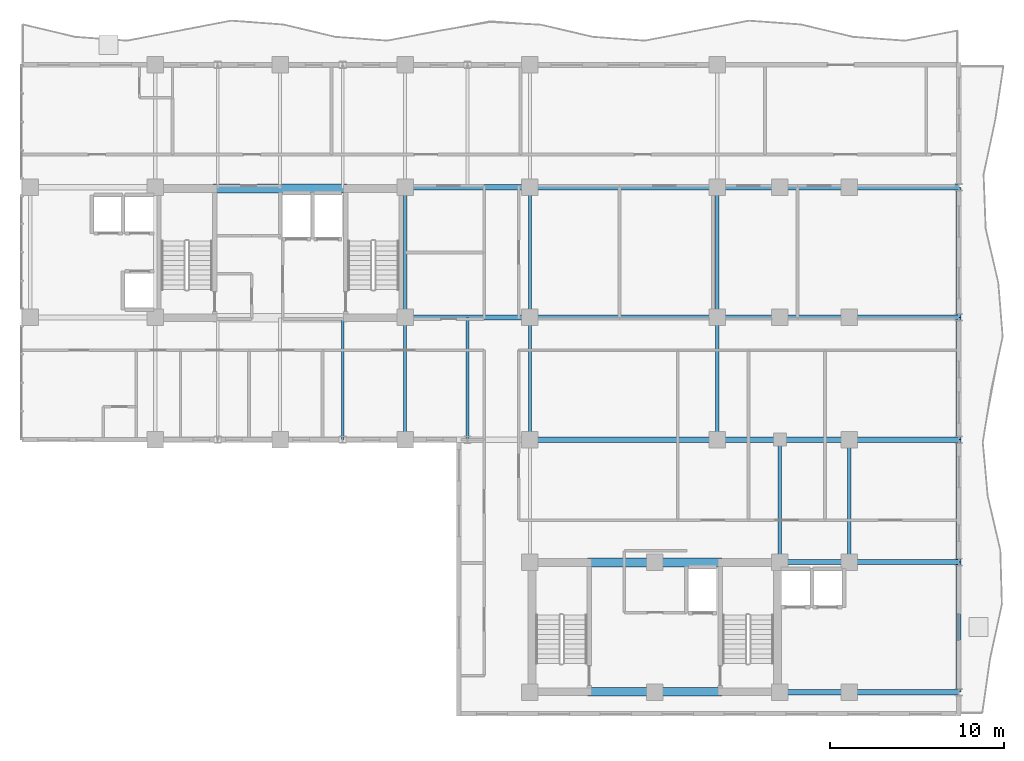
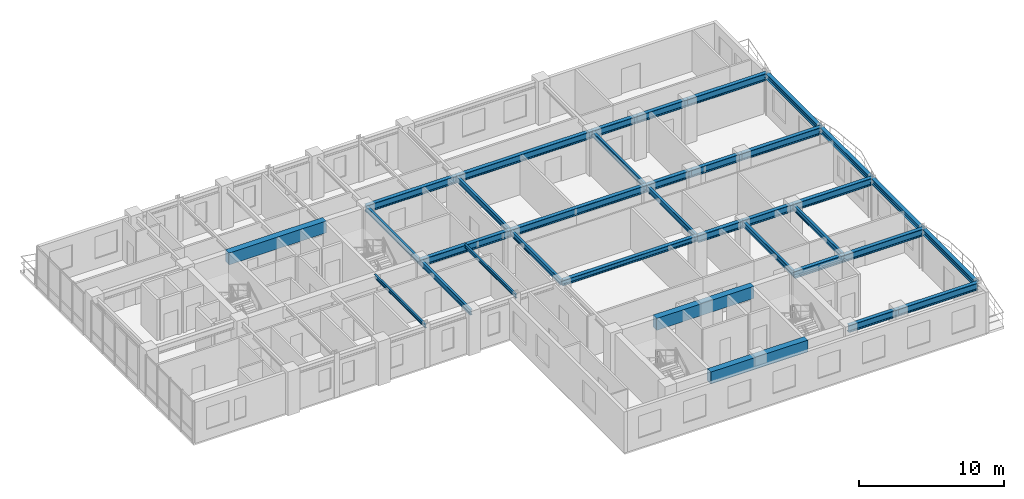
# One storey, part 9 of 20: 35 beams.
"""IFC4 building model written with IfcOpenShell, lengths in metres."""

from ifc_helpers import new_model, si_unit, direction, frame, origin, origin_2d, place, context, subcontext, project, spatial, rectangle, i_section, extrude, source, transform, mapped, material, material_profile, profile_set, type_object, element, save


model = new_model("IFC4")

# Units and contexts
model_context = context("Model", 3, precision=1e-05, world=origin(), true_north=direction((0.0, 1.0)))
body_context = subcontext(model_context, "Body", "Model", "MODEL_VIEW")
ifc_project = project(units=[si_unit("LENGTHUNIT", "METRE"), si_unit("AREAUNIT", "SQUARE_METRE"), si_unit("VOLUMEUNIT", "CUBIC_METRE"), si_unit("PLANEANGLEUNIT", "RADIAN"), si_unit("MASSUNIT", "GRAM", prefix="KILO")], contexts=[model_context])

# Site, building, storey
site_placement = place(None, origin())
site = spatial("IfcSite", under=ifc_project, at=site_placement, CompositionType="ELEMENT")
building_placement = place(site_placement, origin())
building = spatial("IfcBuilding", under=site, at=building_placement, Name="Kaliganga Portal Commons", CompositionType="ELEMENT")
storey_placement = place(building_placement, frame((0.0, 0.0, 201.800048828125)))
storey = spatial("IfcBuildingStorey", under=building, at=storey_placement, Name="L51", CompositionType="ELEMENT", Elevation=201.800048828125)

# Beams
ifc_material_1 = material(Name="Concrete C50/60", Category="concrete")
ifc_material_profile_1 = material_profile(ifc_material_1, rectangle(XDim=0.5, YDim=1.0, at=origin_2d()), Name="RC 500x1000")
ifc_profile_set_1 = profile_set([ifc_material_profile_1], Name="Concrete C50/60")
beam_type_1 = type_object("IfcBeamType", Name="BM-CPL-1000", PredefinedType="LINTEL", material=ifc_profile_set_1)
shared_shape_1 = source(origin(), body_context, "Body", "SweptSolid", [
    extrude(rectangle(XDim=0.5, YDim=1.0, at=origin_2d()), origin(), (0.0, 0.0, 1.0), 7.739990234375),
])
for number, where, z_axis, x_axis, name in (
    (1, (17.72998046875, 36.074951171875, 2.969970703125), (1.0, 0.0, 0.0), (0.0, 1.0, 0.0), "BM CPL COREA L51 N"),
    (2, (39.330078125, 7.074951171875, 2.969970703125), (1.0, 0.0, 0.0), (0.0, 1.0, 0.0), "BM CPL COREB L51 S"),
    (3, (39.330078125, 14.52490234375, 2.969970703125), (1.0, 0.0, 0.0), (0.0, 1.0, 0.0), "BM CPL COREB L51 N"),
):
    element("IfcBeam", number, at=place(storey_placement, frame(where, z_axis=z_axis, x_axis=x_axis)), inside=storey, type_object=beam_type_1, Name=name, PredefinedType="LINTEL", context=body_context, shape_type="MappedRepresentation", body=[
        mapped(shared_shape_1, transform((0.0, 0.0, 0.0), x_axis=(1.0, 0.0, 0.0), y_axis=(0.0, 1.0, 0.0), z_axis=(0.0, 0.0, 1.0), scale=1.0)),
    ])
ifc_material_2 = material(Name="Structural steel S355J2", Category="steel")
ifc_material_profile_2 = material_profile(ifc_material_2, i_section(OverallWidth=0.300048828125, OverallDepth=0.449951171875, WebThickness=0.013916015625, FlangeThickness=0.02587890625, FilletRadius=0.027099609375, at=origin_2d()), Name="HE 450 B")
ifc_profile_set_2 = profile_set([ifc_material_profile_2], Name="Structural steel S355J2 wide-flange")
beam_type_2 = type_object("IfcBeamType", Name="BM-SPAND-450", PredefinedType="SPANDREL", material=ifc_profile_set_2)
shared_shape_2 = source(origin(), body_context, "Body", "SweptSolid", [
    extrude(i_section(OverallWidth=0.300048828125, OverallDepth=0.449951171875, WebThickness=0.013916015625, FlangeThickness=0.02587890625, FilletRadius=0.027099609375, at=origin_2d()), origin(), (0.0, 0.0, 1.0), 10.800048828125),
])
beam_1_placement = place(storey_placement, frame((36.0, 21.60009765625, 3.244873046875), z_axis=(1.0, 0.0, 0.0), x_axis=(0.0, 1.0, 0.0)))
element("IfcBeam", 4, at=beam_1_placement, inside=storey, type_object=beam_type_2, Name="BM SP L51 AS 7", PredefinedType="SPANDREL", context=body_context, shape_type="MappedRepresentation", body=[
    mapped(shared_shape_2, transform((0.0, 0.0, 0.0), x_axis=(1.0, 0.0, 0.0), y_axis=(0.0, 1.0, 0.0), z_axis=(0.0, 0.0, 1.0), scale=1.0)),
])
shared_shape_3 = source(origin(), body_context, "Body", "SweptSolid", [
    extrude(i_section(OverallWidth=0.300048828125, OverallDepth=0.449951171875, WebThickness=0.013916015625, FlangeThickness=0.02587890625, FilletRadius=0.027099609375, at=origin_2d()), origin(), (0.0, 0.0, 1.0), 7.5),
])
for number, where, z_axis, x_axis, name in (
    (5, (60.699951171875, 7.050048828125, 3.244873046875), (0.0, 1.0, 0.0), (-1.0, 0.0, 0.0), "BM SP L51 BE 1"),
    (6, (60.699951171875, 28.64990234375, 3.244873046875), (0.0, 1.0, 0.0), (-1.0, 0.0, 0.0), "BM SP L51 BE 4"),
):
    element("IfcBeam", number, at=place(storey_placement, frame(where, z_axis=z_axis, x_axis=x_axis)), inside=storey, type_object=beam_type_2, Name=name, PredefinedType="SPANDREL", context=body_context, shape_type="MappedRepresentation", body=[
        mapped(shared_shape_3, transform((0.0, 0.0, 0.0), x_axis=(1.0, 0.0, 0.0), y_axis=(0.0, 1.0, 0.0), z_axis=(0.0, 0.0, 1.0), scale=1.0)),
    ])
shared_shape_4 = source(origin(), body_context, "Body", "SweptSolid", [
    extrude(i_section(OverallWidth=0.300048828125, OverallDepth=0.449951171875, WebThickness=0.013916015625, FlangeThickness=0.02587890625, FilletRadius=0.027099609375, at=origin_2d()), origin(), (0.0, 0.0, 1.0), 7.050048828125),
])
beam_2_placement = place(storey_placement, frame((60.699951171875, 14.550048828125, 3.244873046875), z_axis=(0.0, 1.0, 0.0), x_axis=(-1.0, 0.0, 0.0)))
element("IfcBeam", 7, at=beam_2_placement, inside=storey, type_object=beam_type_2, Name="BM SP L51 BE 2", PredefinedType="SPANDREL", context=body_context, shape_type="MappedRepresentation", body=[
    mapped(shared_shape_4, transform((0.0, 0.0, 0.0), x_axis=(1.0, 0.0, 0.0), y_axis=(0.0, 1.0, 0.0), z_axis=(0.0, 0.0, 1.0), scale=1.0)),
])
shared_shape_5 = source(origin(), body_context, "Body", "SweptSolid", [
    extrude(i_section(OverallWidth=0.300048828125, OverallDepth=0.449951171875, WebThickness=0.013916015625, FlangeThickness=0.02587890625, FilletRadius=0.027099609375, at=origin_2d()), origin(), (0.0, 0.0, 1.0), 7.0498046875),
])
beam_3_placement = place(storey_placement, frame((60.699951171875, 21.60009765625, 3.244873046875), z_axis=(0.0, 1.0, 0.0), x_axis=(-1.0, 0.0, 0.0)))
element("IfcBeam", 8, at=beam_3_placement, inside=storey, type_object=beam_type_2, Name="BM SP L51 BE 3", PredefinedType="SPANDREL", context=body_context, shape_type="MappedRepresentation", body=[
    mapped(shared_shape_5, transform((0.0, 0.0, 0.0), x_axis=(1.0, 0.0, 0.0), y_axis=(0.0, 1.0, 0.0), z_axis=(0.0, 0.0, 1.0), scale=1.0)),
])
ifc_material_profile_3 = material_profile(ifc_material_2, i_section(OverallWidth=0.300048828125, OverallDepth=0.60009765625, WebThickness=0.015380859375, FlangeThickness=0.030029296875, FilletRadius=0.027099609375, at=origin_2d()), Name="HE 600 B")
ifc_profile_set_3 = profile_set([ifc_material_profile_3], Name="Structural steel S355J2 wide-flange")
beam_type_3 = type_object("IfcBeamType", Name="BM-GIRD-600", PredefinedType="USERDEFINED", material=ifc_profile_set_3)
shared_shape_6 = source(origin(), body_context, "Body", "SweptSolid", [
    extrude(i_section(OverallWidth=0.300048828125, OverallDepth=0.60009765625, WebThickness=0.015380859375, FlangeThickness=0.030029296875, FilletRadius=0.027099609375, at=origin_2d()), origin(), (0.0, 0.0, 1.0), 7.199951171875),
])
for number, where, z_axis, x_axis, name in (
    (9, (28.800048828125, 28.64990234375, 3.169921875), (1.0, 0.0, 0.0), (0.0, 1.0, 0.0), "BM G L51 WAE_S 1"),
    (10, (28.800048828125, 36.14990234375, 3.169921875), (1.0, 0.0, 0.0), (0.0, 1.0, 0.0), "BM G L51 WAE_N 1"),
):
    element("IfcBeam", number, at=place(storey_placement, frame(where, z_axis=z_axis, x_axis=x_axis)), inside=storey, type_object=beam_type_3, Name=name, ObjectType="GIRDER", PredefinedType="USERDEFINED", context=body_context, shape_type="MappedRepresentation", body=[
        mapped(shared_shape_6, transform((0.0, 0.0, 0.0), x_axis=(1.0, 0.0, 0.0), y_axis=(0.0, 1.0, 0.0), z_axis=(0.0, 0.0, 1.0), scale=1.0)),
    ])
shared_shape_7 = source(origin(), body_context, "Body", "SweptSolid", [
    extrude(i_section(OverallWidth=0.300048828125, OverallDepth=0.60009765625, WebThickness=0.015380859375, FlangeThickness=0.030029296875, FilletRadius=0.027099609375, at=origin_2d()), origin(), (0.0, 0.0, 1.0), 10.800048828125),
])
for number, where, z_axis, x_axis, name in (
    (11, (36.0, 28.64990234375, 3.169921875), (1.0, 0.0, 0.0), (0.0, 1.0, 0.0), "BM G L51 WAE_S 2"),
    (12, (36.0, 36.14990234375, 3.169921875), (1.0, 0.0, 0.0), (0.0, 1.0, 0.0), "BM G L51 WAE_N 2"),
):
    element("IfcBeam", number, at=place(storey_placement, frame(where, z_axis=z_axis, x_axis=x_axis)), inside=storey, type_object=beam_type_3, Name=name, ObjectType="GIRDER", PredefinedType="USERDEFINED", context=body_context, shape_type="MappedRepresentation", body=[
        mapped(shared_shape_7, transform((0.0, 0.0, 0.0), x_axis=(1.0, 0.0, 0.0), y_axis=(0.0, 1.0, 0.0), z_axis=(0.0, 0.0, 1.0), scale=1.0)),
    ])
shared_shape_8 = source(origin(), body_context, "Body", "SweptSolid", [
    extrude(i_section(OverallWidth=0.300048828125, OverallDepth=0.60009765625, WebThickness=0.015380859375, FlangeThickness=0.030029296875, FilletRadius=0.027099609375, at=origin_2d()), origin(), (0.0, 0.0, 1.0), 4.0),
])
for number, where, z_axis, x_axis, name in (
    (13, (50.39990234375, 7.050048828125, 3.169921875), (1.0, 0.0, 0.0), (0.0, 1.0, 0.0), "BM G L51 BKE70 1"),
    (14, (50.39990234375, 14.550048828125, 3.169921875), (1.0, 0.0, 0.0), (0.0, 1.0, 0.0), "BM G L51 BKE146 1"),
    (15, (50.39990234375, 21.60009765625, 3.169921875), (1.0, 0.0, 0.0), (0.0, 1.0, 0.0), "BM G L51 BKE216 2"),
    (16, (50.39990234375, 28.64990234375, 3.169921875), (1.0, 0.0, 0.0), (0.0, 1.0, 0.0), "BM G L51 BKE286 2"),
    (17, (50.39990234375, 36.14990234375, 3.169921875), (1.0, 0.0, 0.0), (0.0, 1.0, 0.0), "BM G L51 BKE362 2"),
):
    element("IfcBeam", number, at=place(storey_placement, frame(where, z_axis=z_axis, x_axis=x_axis)), inside=storey, type_object=beam_type_3, Name=name, ObjectType="GIRDER", PredefinedType="USERDEFINED", context=body_context, shape_type="MappedRepresentation", body=[
        mapped(shared_shape_8, transform((0.0, 0.0, 0.0), x_axis=(1.0, 0.0, 0.0), y_axis=(0.0, 1.0, 0.0), z_axis=(0.0, 0.0, 1.0), scale=1.0)),
    ])
shared_shape_9 = source(origin(), body_context, "Body", "SweptSolid", [
    extrude(i_section(OverallWidth=0.300048828125, OverallDepth=0.60009765625, WebThickness=0.015380859375, FlangeThickness=0.030029296875, FilletRadius=0.027099609375, at=origin_2d()), origin(), (0.0, 0.0, 1.0), 3.599853515625),
])
for number, where, z_axis, x_axis, name in (
    (18, (46.800048828125, 21.60009765625, 3.169921875), (1.0, 0.0, 0.0), (0.0, 1.0, 0.0), "BM G L51 BKE216 1"),
    (19, (46.800048828125, 28.64990234375, 3.169921875), (1.0, 0.0, 0.0), (0.0, 1.0, 0.0), "BM G L51 BKE286 1"),
    (20, (46.800048828125, 36.14990234375, 3.169921875), (1.0, 0.0, 0.0), (0.0, 1.0, 0.0), "BM G L51 BKE362 1"),
):
    element("IfcBeam", number, at=place(storey_placement, frame(where, z_axis=z_axis, x_axis=x_axis)), inside=storey, type_object=beam_type_3, Name=name, ObjectType="GIRDER", PredefinedType="USERDEFINED", context=body_context, shape_type="MappedRepresentation", body=[
        mapped(shared_shape_9, transform((0.0, 0.0, 0.0), x_axis=(1.0, 0.0, 0.0), y_axis=(0.0, 1.0, 0.0), z_axis=(0.0, 0.0, 1.0), scale=1.0)),
    ])
ifc_material_profile_4 = material_profile(ifc_material_2, i_section(OverallWidth=0.18994140625, OverallDepth=0.449951171875, WebThickness=0.009521484375, FlangeThickness=0.0146484375, FilletRadius=0.02099609375, at=origin_2d()), Name="IPE 450")
ifc_profile_set_4 = profile_set([ifc_material_profile_4], Name="Structural steel S355J2 wide-flange")
beam_type_4 = type_object("IfcBeamType", Name="BM-FLR-450", PredefinedType="BEAM", material=ifc_profile_set_4)
shared_shape_10 = source(origin(), body_context, "Body", "SweptSolid", [
    extrude(i_section(OverallWidth=0.18994140625, OverallDepth=0.449951171875, WebThickness=0.009521484375, FlangeThickness=0.0146484375, FilletRadius=0.02099609375, at=origin_2d()), origin(), (0.0, 0.0, 1.0), 7.5),
])
for number, where, z_axis, x_axis, name in (
    (21, (28.800048828125, 28.64990234375, 3.244873046875), (0.0, 1.0, 0.0), (-1.0, 0.0, 0.0), "BM G L51 AM288"),
    (22, (36.0, 28.64990234375, 3.244873046875), (0.0, 1.0, 0.0), (-1.0, 0.0, 0.0), "BM G L51 AM360"),
    (23, (46.800048828125, 28.64990234375, 3.244873046875), (0.0, 1.0, 0.0), (-1.0, 0.0, 0.0), "BM G L51 AM468"),
):
    element("IfcBeam", number, at=place(storey_placement, frame(where, z_axis=z_axis, x_axis=x_axis)), inside=storey, type_object=beam_type_4, Name=name, PredefinedType="BEAM", context=body_context, shape_type="MappedRepresentation", body=[
        mapped(shared_shape_10, transform((0.0, 0.0, 0.0), x_axis=(1.0, 0.0, 0.0), y_axis=(0.0, 1.0, 0.0), z_axis=(0.0, 0.0, 1.0), scale=1.0)),
    ])
shared_shape_11 = source(origin(), body_context, "Body", "SweptSolid", [
    extrude(i_section(OverallWidth=0.18994140625, OverallDepth=0.449951171875, WebThickness=0.009521484375, FlangeThickness=0.0146484375, FilletRadius=0.02099609375, at=origin_2d()), origin(), (0.0, 0.0, 1.0), 7.050048828125),
])
for number, where, z_axis, x_axis, name in (
    (24, (50.39990234375, 14.550048828125, 3.244873046875), (0.0, 1.0, 0.0), (-1.0, 0.0, 0.0), "BM G L51 BNK504"),
    (25, (54.39990234375, 14.550048828125, 3.244873046875), (0.0, 1.0, 0.0), (-1.0, 0.0, 0.0), "BM G L51 BNK544"),
):
    element("IfcBeam", number, at=place(storey_placement, frame(where, z_axis=z_axis, x_axis=x_axis)), inside=storey, type_object=beam_type_4, Name=name, PredefinedType="BEAM", context=body_context, shape_type="MappedRepresentation", body=[
        mapped(shared_shape_11, transform((0.0, 0.0, 0.0), x_axis=(1.0, 0.0, 0.0), y_axis=(0.0, 1.0, 0.0), z_axis=(0.0, 0.0, 1.0), scale=1.0)),
    ])
shared_shape_12 = source(origin(), body_context, "Body", "SweptSolid", [
    extrude(i_section(OverallWidth=0.18994140625, OverallDepth=0.449951171875, WebThickness=0.009521484375, FlangeThickness=0.0146484375, FilletRadius=0.02099609375, at=origin_2d()), origin(), (0.0, 0.0, 1.0), 7.0498046875),
])
for number, where, z_axis, x_axis, name in (
    (26, (28.800048828125, 21.60009765625, 3.244873046875), (0.0, 1.0, 0.0), (-1.0, 0.0, 0.0), "BM G L51 AS288"),
    (27, (36.0, 21.60009765625, 3.244873046875), (0.0, 1.0, 0.0), (-1.0, 0.0, 0.0), "BM G L51 AS360"),
    (28, (46.800048828125, 21.60009765625, 3.244873046875), (0.0, 1.0, 0.0), (-1.0, 0.0, 0.0), "BM G L51 AS468"),
):
    element("IfcBeam", number, at=place(storey_placement, frame(where, z_axis=z_axis, x_axis=x_axis)), inside=storey, type_object=beam_type_4, Name=name, PredefinedType="BEAM", context=body_context, shape_type="MappedRepresentation", body=[
        mapped(shared_shape_12, transform((0.0, 0.0, 0.0), x_axis=(1.0, 0.0, 0.0), y_axis=(0.0, 1.0, 0.0), z_axis=(0.0, 0.0, 1.0), scale=1.0)),
    ])
ifc_material_profile_5 = material_profile(ifc_material_2, i_section(OverallWidth=0.14990234375, OverallDepth=0.300048828125, WebThickness=0.007080078125, FlangeThickness=0.0107421875, FilletRadius=0.014892578125, at=origin_2d()), Name="IPE 300")
ifc_profile_set_5 = profile_set([ifc_material_profile_5], Name="Structural steel S355J2 wide-flange")
beam_type_5 = type_object("IfcBeamType", Name="BM-JST-300", PredefinedType="JOIST", material=ifc_profile_set_5)
shared_shape_13 = source(origin(), body_context, "Body", "SweptSolid", [
    extrude(i_section(OverallWidth=0.14990234375, OverallDepth=0.300048828125, WebThickness=0.007080078125, FlangeThickness=0.0107421875, FilletRadius=0.014892578125, at=origin_2d()), origin(), (0.0, 0.0, 1.0), 7.02490234375),
])
beam_4_placement = place(storey_placement, frame((25.199951171875, 21.60009765625, 3.320068359375), z_axis=(0.0, 1.0, 0.0), x_axis=(-1.0, 0.0, 0.0)))
element("IfcBeam", 29, at=beam_4_placement, inside=storey, type_object=beam_type_5, Name="BM G L51 AS252", PredefinedType="JOIST", context=body_context, shape_type="MappedRepresentation", body=[
    mapped(shared_shape_13, transform((0.0, 0.0, 0.0), x_axis=(1.0, 0.0, 0.0), y_axis=(0.0, 1.0, 0.0), z_axis=(0.0, 0.0, 1.0), scale=1.0)),
])
shared_shape_14 = source(origin(), body_context, "Body", "SweptSolid", [
    extrude(i_section(OverallWidth=0.14990234375, OverallDepth=0.300048828125, WebThickness=0.007080078125, FlangeThickness=0.0107421875, FilletRadius=0.014892578125, at=origin_2d()), origin(), (0.0, 0.0, 1.0), 7.0498046875),
])
beam_5_placement = place(storey_placement, frame((32.39990234375, 21.60009765625, 3.320068359375), z_axis=(0.0, 1.0, 0.0), x_axis=(-1.0, 0.0, 0.0)))
element("IfcBeam", 30, at=beam_5_placement, inside=storey, type_object=beam_type_5, Name="BM G L51 AS324", PredefinedType="JOIST", context=body_context, shape_type="MappedRepresentation", body=[
    mapped(shared_shape_14, transform((0.0, 0.0, 0.0), x_axis=(1.0, 0.0, 0.0), y_axis=(0.0, 1.0, 0.0), z_axis=(0.0, 0.0, 1.0), scale=1.0)),
])
shared_shape_15 = source(origin(), body_context, "Body", "SweptSolid", [
    extrude(i_section(OverallWidth=0.300048828125, OverallDepth=0.60009765625, WebThickness=0.015380859375, FlangeThickness=0.030029296875, FilletRadius=0.027099609375, at=origin_2d()), origin(), (0.0, 0.0, 1.0), 6.300048828125),
])
for number, where, z_axis, x_axis, name in (
    (31, (54.39990234375, 7.050048828125, 3.169921875), (1.0, 0.0, 0.0), (0.0, 1.0, 0.0), "BM G L51 BKE70 2"),
    (32, (54.39990234375, 14.550048828125, 3.169921875), (1.0, 0.0, 0.0), (0.0, 1.0, 0.0), "BM G L51 BKE146 2"),
    (33, (54.39990234375, 21.60009765625, 3.169921875), (1.0, 0.0, 0.0), (0.0, 1.0, 0.0), "BM G L51 BKE216 3"),
    (34, (54.39990234375, 28.64990234375, 3.169921875), (1.0, 0.0, 0.0), (0.0, 1.0, 0.0), "BM G L51 BKE286 3"),
    (35, (54.39990234375, 36.14990234375, 3.169921875), (1.0, 0.0, 0.0), (0.0, 1.0, 0.0), "BM G L51 BKE362 3"),
):
    element("IfcBeam", number, at=place(storey_placement, frame(where, z_axis=z_axis, x_axis=x_axis)), inside=storey, type_object=beam_type_3, Name=name, ObjectType="GIRDER", PredefinedType="USERDEFINED", context=body_context, shape_type="MappedRepresentation", body=[
        mapped(shared_shape_15, transform((0.0, 0.0, 0.0), x_axis=(1.0, 0.0, 0.0), y_axis=(0.0, 1.0, 0.0), z_axis=(0.0, 0.0, 1.0), scale=1.0)),
    ])

save(model, "model.ifc")
